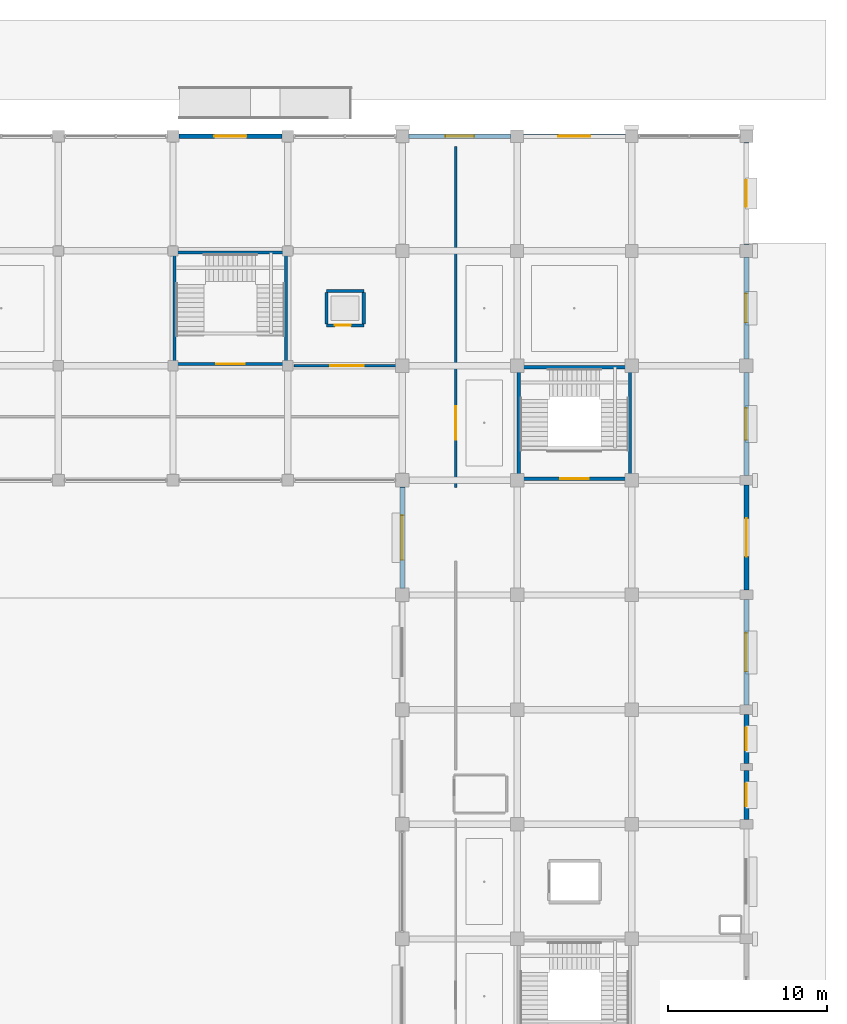
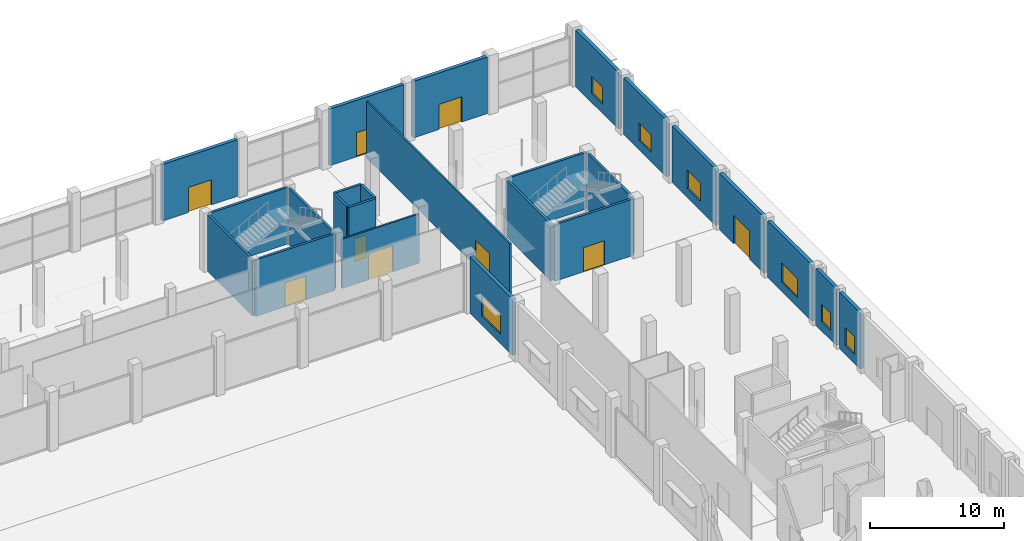
# One storey, part 66 of 90: 25 walls, 9 doors, 7 windows, 16 openings.
"""IFC4 building model written with IfcOpenShell, lengths in metres."""

import ifcopenshell
import ifcopenshell.guid

model = None  # the IFC model being written
_history = None  # IfcOwnerHistory: only IFC2X3 demands one
_inside = {}  # id of a spatial element -> (the spatial element, [elements in it])
_under = {}  # id of a project, library or spatial element -> (it, [spatial elements below it])
_declared = {}  # id of a project -> (the project, [libraries it declares])
_typed = {}  # id of a type object -> (the type object, [elements of that type])
_made_of = {}  # id of a material, layer set ... -> (it, [elements and type objects made of it])


def new_model(schema):
    """Start an empty IFC model of exactly this schema.

    Asked for "IFC4X3", IfcOpenShell would pick the latest addendum, in which some entities
    have other attributes; the version numbers below select the first issue.
    IFC2X3 requires an IfcOwnerHistory on every rooted entity: one is made here for all.
    """
    global model, _history
    if schema == "IFC4X3":
        model = ifcopenshell.file(schema_version=(4, 3, 0, 0))
    else:
        model = ifcopenshell.file(schema=schema)
    _inside.clear()
    _under.clear()
    _declared.clear()
    _typed.clear()
    _made_of.clear()
    _history = None
    if model.schema == "IFC2X3":
        org = make("IfcOrganization", Name="unknown")
        user = make(
            "IfcPersonAndOrganization",
            ThePerson=make("IfcPerson", FamilyName="unknown"),
            TheOrganization=org,
        )
        app = make(
            "IfcApplication",
            ApplicationDeveloper=org,
            Version="unknown",
            ApplicationFullName="unknown",
            ApplicationIdentifier="unknown",
        )
        _history = make(
            "IfcOwnerHistory",
            OwningUser=user,
            OwningApplication=app,
            ChangeAction="ADDED",
            CreationDate=0,
        )
    return model


def make(cls, **values):
    """One entity of the class cls with the attributes given. An attribute that is None is left unset."""
    return model.create_entity(
        cls, **{name: value for name, value in values.items() if value is not None}
    )


def rooted(cls, **values):
    """An entity with a GlobalId (a new one), such as an element, a storey or a relation."""
    return make(cls, GlobalId=ifcopenshell.guid.new(), OwnerHistory=_history, **values)


def si_unit(unit_type, name, prefix=None):
    """IfcSIUnit, for example si_unit("LENGTHUNIT", "METRE", prefix="MILLI")."""
    return make("IfcSIUnit", UnitType=unit_type, Prefix=prefix, Name=name)


def assignment(units):
    """IfcUnitAssignment: the units of a project."""
    return None if units is None else make("IfcUnitAssignment", Units=units)


def point(xyz):
    """IfcCartesianPoint."""
    return None if xyz is None else make("IfcCartesianPoint", Coordinates=xyz)


def direction(xyz):
    """IfcDirection."""
    return None if xyz is None else make("IfcDirection", DirectionRatios=xyz)


def frame(location, z_axis=None, x_axis=None):
    """IfcAxis2Placement3D, a coordinate frame: its origin and axes. An axis left out is left unset."""
    return make(
        "IfcAxis2Placement3D",
        Location=point(location),
        Axis=direction(z_axis),
        RefDirection=direction(x_axis),
    )


def frame_2d(location, x_axis=None):
    """IfcAxis2Placement2D, a coordinate frame in the plane: its origin and x axis."""
    return make(
        "IfcAxis2Placement2D", Location=point(location), RefDirection=direction(x_axis)
    )


def origin():
    """The frame at (0, 0, 0) with its axes left unset."""
    return frame((0.0, 0.0, 0.0))


def place(relative_to, where):
    """IfcLocalPlacement: puts the frame where relative to a parent placement (None: the world)."""
    return make(
        "IfcLocalPlacement", PlacementRelTo=relative_to, RelativePlacement=where
    )


def context(
    kind, dimensions, precision=None, world=None, true_north=None, identifier=None
):
    """IfcGeometricRepresentationContext, for example the 3D "Model" context."""
    return make(
        "IfcGeometricRepresentationContext",
        ContextIdentifier=identifier,
        ContextType=kind,
        CoordinateSpaceDimension=dimensions,
        Precision=precision,
        WorldCoordinateSystem=world,
        TrueNorth=true_north,
    )


def subcontext(parent, identifier, kind, view, scale=None):
    """IfcGeometricRepresentationSubContext, for example "Body" below "Model"."""
    return make(
        "IfcGeometricRepresentationSubContext",
        ContextIdentifier=identifier,
        ContextType=kind,
        ParentContext=parent,
        TargetScale=scale,
        TargetView=view,
    )


def project(units=None, contexts=None):
    """IfcProject with its units and contexts."""
    return rooted(
        "IfcProject",
        Name="project",
        RepresentationContexts=contexts,
        UnitsInContext=assignment(units),
    )


def spatial(cls, under=None, at=None, **own):
    """A site, building, storey or space (cls), placed at a placement, below another one or the project."""
    s = rooted(cls, ObjectPlacement=at, **own)
    if under is not None:
        _under.setdefault(under.id(), (under, []))[1].append(s)
    return s


def profile(cls, at=None, kind="AREA", **sizes):
    """A parametric profile (cls). Its sizes go by their IFC names, for example OverallWidth=200.0."""
    return make(cls, ProfileType=kind, Position=at, **sizes)


def rectangle(**sizes):
    """IfcRectangleProfileDef."""
    return profile("IfcRectangleProfileDef", **sizes)


def extrude(swept, where, along, depth):
    """IfcExtrudedAreaSolid: the profile swept, set in the frame where, extruded along a direction by depth."""
    return make(
        "IfcExtrudedAreaSolid",
        SweptArea=swept,
        Position=where,
        ExtrudedDirection=direction(along),
        Depth=depth,
    )


def shape(context_of_items, identifier, shape_type, items):
    """IfcShapeRepresentation: the items that make up one representation, for example the "Body"."""
    return make(
        "IfcShapeRepresentation",
        ContextOfItems=context_of_items,
        RepresentationIdentifier=identifier,
        RepresentationType=shape_type,
        Items=items,
    )


def material(Name=None, Category=None):
    """IfcMaterial."""
    return make("IfcMaterial", Name=Name, Category=Category)


def layer(
    of_material, thickness, ventilated=None, Name=None, Category=None, Priority=None
):
    """IfcMaterialLayer: one layer of a wall or slab, of a material (None: an air gap)."""
    return make(
        "IfcMaterialLayer",
        Material=of_material,
        LayerThickness=thickness,
        IsVentilated=ventilated,
        Name=Name,
        Category=Category,
        Priority=Priority,
    )


def layer_set(layers, Name=None):
    """IfcMaterialLayerSet."""
    return make("IfcMaterialLayerSet", MaterialLayers=layers, LayerSetName=Name)


def made_of(thing, what):
    """Note that an element or type object is made of a material, layer set ...; save() writes the relation."""
    if what is not None:
        _made_of.setdefault(what.id(), (what, []))[1].append(thing)
    return thing


def type_object(cls, material=None, **own):
    """A type object (cls), such as IfcWallType, which elements share."""
    return made_of(rooted(cls, **own), material)


def element(
    cls,
    number,
    at=None,
    inside=None,
    cuts=None,
    type_object=None,
    material=None,
    context=None,
    identifier="Body",
    shape_type=None,
    held_by="IfcProductDefinitionShape",
    body=None,
    shapes=None,
    **own,
):
    """One element of the class cls, such as IfcWall. Its Tag is "e" and its number.

    at: its placement. inside: the storey or other place that contains it. cuts: it is an
    opening in that element (IfcRelVoidsElement). A single representation is given by context,
    identifier, shape_type and body (its items); several are given by shapes. held_by: the class
    of the entity that holds the representations. save() writes the other relations.
    """
    e = rooted(cls, Tag="e%d" % number, ObjectPlacement=at, **own)
    if body is not None:
        shapes = [shape(context, identifier, shape_type, body)]
    if shapes is not None:
        e.Representation = make(held_by, Representations=shapes)
    if inside is not None:
        _inside.setdefault(inside.id(), (inside, []))[1].append(e)
    if cuts is not None:
        rooted(
            "IfcRelVoidsElement", RelatingBuildingElement=cuts, RelatedOpeningElement=e
        )
    if type_object is not None:
        _typed.setdefault(type_object.id(), (type_object, []))[1].append(e)
    return made_of(e, material)


def fill(opening, filler):
    """IfcRelFillsElement: the door or window that sits in an opening."""
    return rooted(
        "IfcRelFillsElement",
        RelatingOpeningElement=opening,
        RelatedBuildingElement=filler,
    )


def aggregate(whole, parts):
    """IfcRelAggregates: a whole, such as a stair, and the parts it consists of."""
    return rooted("IfcRelAggregates", RelatingObject=whole, RelatedObjects=parts)


def save(model, path):
    """Write the relations noted so far, then the file.

    IfcRelAggregates (storeys below a building ...), IfcRelContainedInSpatialStructure (elements
    in a storey), IfcRelDefinesByType, IfcRelAssociatesMaterial and IfcRelDeclares: one each for
    every whole, place, type object, material and project.
    """
    for whole, parts in _under.values():
        aggregate(whole, parts)
    for where, things in _inside.values():
        rooted(
            "IfcRelContainedInSpatialStructure",
            RelatedElements=things,
            RelatingStructure=where,
        )
    for kind, things in _typed.values():
        rooted("IfcRelDefinesByType", RelatedObjects=things, RelatingType=kind)
    for what, things in _made_of.values():
        rooted("IfcRelAssociatesMaterial", RelatedObjects=things, RelatingMaterial=what)
    for by, libraries in _declared.values():
        rooted("IfcRelDeclares", RelatingContext=by, RelatedDefinitions=libraries)
    model.write(path)


model = new_model("IFC4")

# Units and contexts
model_context = context("Model", 3, precision=1e-05, world=origin(), true_north=direction((0.0, 1.0)))
body_context = subcontext(model_context, "Body", "Model", "MODEL_VIEW")
ifc_project = project(units=[si_unit("LENGTHUNIT", "METRE"), si_unit("AREAUNIT", "SQUARE_METRE"), si_unit("VOLUMEUNIT", "CUBIC_METRE"), si_unit("PLANEANGLEUNIT", "RADIAN"), si_unit("MASSUNIT", "GRAM", prefix="KILO")], contexts=[model_context])

# Site, building, storey
site_placement = place(None, origin())
site = spatial("IfcSite", under=ifc_project, at=site_placement, CompositionType="ELEMENT")
building_placement = place(site_placement, origin())
building = spatial("IfcBuilding", under=site, at=building_placement, Name="Kangsadwip Square Police Headquarters", CompositionType="ELEMENT")
storey_placement = place(building_placement, origin())
storey = spatial("IfcBuildingStorey", under=building, at=storey_placement, Name="L00", CompositionType="ELEMENT", Elevation=0.0)

# Wall, opening, door
ifc_material_1 = material(Name="Autoclaved aerated concrete blockwork masonry", Category="masonry")
ifc_layer_1 = layer(ifc_material_1, 0.14990234375)
ifc_layer_set_1 = layer_set([ifc_layer_1], Name="Autoclaved aerated concrete blockwork masonry")
wall_type_1 = type_object("IfcWallType", Name="BlockPartition150", PredefinedType="PARTITIONING", material=ifc_layer_set_1)
wall_1_placement = place(storey_placement, frame((137.199951171875, 100.800048828125, 0.0), z_axis=(0.0, 0.0, 1.0), x_axis=(1.0, 0.0, 0.0)))
wall_1 = element("IfcWall", 1, at=wall_1_placement, inside=storey, type_object=wall_type_1, Name="Interior Wall WI-L00-0690", PredefinedType="PARTITIONING", context=body_context, shape_type="SweptSolid", body=[
    extrude(rectangle(XDim=6.650146484375, YDim=0.14990234375, at=frame_2d((3.3251953125, 0.0))), origin(), (0.0, 0.0, 1.0), 4.5),
])
opening_1_placement = place(wall_1_placement, frame((2.27490234375, 0.0, 0.0)))
opening_1 = element("IfcOpeningElement", 2, at=opening_1_placement, cuts=wall_1, Name="Opening ID-21", PredefinedType="OPENING", context=body_context, shape_type="SweptSolid", body=[
    extrude(rectangle(XDim=2.10009765625, YDim=2.39990234375, at=frame_2d((1.050048828125, 1.199951171875))), frame((0.0, 0.0849609375, 0.0), z_axis=(0.0, -1.0, 0.0), x_axis=(1.0, 0.0, 0.0)), (0.0, 0.0, 1.0), 0.169921875),
])
ifc_material_2 = material(Name="Solid-core seasoned teak hardwood architectural door", Category="wood")
door_type_1 = type_object("IfcDoorType", Name="HallDoubleDoor2100x2400", OperationType="DOUBLE_DOOR_SINGLE_SWING", PredefinedType="DOOR", material=ifc_material_2)
door_1_placement = place(opening_1_placement, origin())
door_1 = element("IfcDoor", 3, at=door_1_placement, inside=storey, type_object=door_type_1, Name="Interior Door ID-L00-0140", OperationType="DOUBLE_DOOR_SINGLE_SWING", OverallHeight=2.39990234375, OverallWidth=2.10009765625, PredefinedType="DOOR", context=body_context, shape_type="SweptSolid", body=[
    extrude(rectangle(XDim=2.10009765625, YDim=2.39990234375, at=frame_2d((1.050048828125, 1.199951171875))), frame((0.0, 0.02490234375, 0.0), z_axis=(0.0, -1.0, 0.0), x_axis=(1.0, 0.0, 0.0)), (0.0, 0.0, 1.0), 0.050048828125),
])
fill(opening_1, door_1)

wall_2_placement = place(storey_placement, frame((147.35009765625, 93.14990234375, 0.0), z_axis=(0.0, 0.0, 1.0), x_axis=(0.0, 1.0, 0.0)))
wall_2 = element("IfcWall", 4, at=wall_2_placement, inside=storey, type_object=wall_type_1, Name="Interior Wall WI-L00-0691", PredefinedType="PARTITIONING", context=body_context, shape_type="SweptSolid", body=[
    extrude(rectangle(XDim=21.400146484375, YDim=0.14990234375, at=frame_2d((10.7001953125, 0.0))), origin(), (0.0, 0.0, 1.0), 5.159912109375),
])
opening_2_placement = place(wall_2_placement, frame((3.007080078125, 0.0, 0.0)))
opening_2 = element("IfcOpeningElement", 5, at=opening_2_placement, cuts=wall_2, Name="Opening ID-21", PredefinedType="OPENING", context=body_context, shape_type="SweptSolid", body=[
    extrude(rectangle(XDim=2.10009765625, YDim=2.39990234375, at=frame_2d((1.050048828125, 1.199951171875))), frame((0.0, 0.0849609375, 0.0), z_axis=(0.0, -1.0, 0.0), x_axis=(1.0, 0.0, 0.0)), (0.0, 0.0, 1.0), 0.169921875),
])
door_2_placement = place(opening_2_placement, origin())
door_2 = element("IfcDoor", 6, at=door_2_placement, inside=storey, type_object=door_type_1, Name="Interior Door ID-L00-0141", OperationType="DOUBLE_DOOR_SINGLE_SWING", OverallHeight=2.39990234375, OverallWidth=2.10009765625, PredefinedType="DOOR", context=body_context, shape_type="SweptSolid", body=[
    extrude(rectangle(XDim=2.10009765625, YDim=2.39990234375, at=frame_2d((1.050048828125, 1.199951171875))), frame((0.0, 0.02490234375, 0.0), z_axis=(0.0, -1.0, 0.0), x_axis=(1.0, 0.0, 0.0)), (0.0, 0.0, 1.0), 0.050048828125),
])
fill(opening_2, door_2)

ifc_material_3 = material(Name="Concrete M40 (40 MPa)", Category="concrete")
ifc_layer_2 = layer(ifc_material_3, 0.199951171875)
ifc_layer_set_2 = layer_set([ifc_layer_2], Name="Concrete M40 (40 MPa)")
wall_type_2 = type_object("IfcWallType", Name="CoreShearWall200", PredefinedType="SHEAR", material=ifc_layer_set_2)
wall_3_placement = place(storey_placement, frame((151.39990234375, 93.699951171875, 0.0), z_axis=(0.0, 0.0, 1.0), x_axis=(1.0, 0.0, 0.0)))
wall_3 = element("IfcWall", 7, at=wall_3_placement, inside=storey, type_object=wall_type_2, Name="Interior Wall WI-L00-0129", PredefinedType="SHEAR", context=body_context, shape_type="SweptSolid", body=[
    extrude(rectangle(XDim=6.800048828125, YDim=0.199951171875, at=frame_2d((3.39990234375, 0.0))), origin(), (0.0, 0.0, 1.0), 5.159912109375),
])
opening_3_placement = place(wall_3_placement, frame((2.5, 0.0, 0.0)))
opening_3 = element("IfcOpeningElement", 8, at=opening_3_placement, cuts=wall_3, Name="Opening FD-18", PredefinedType="OPENING", context=body_context, shape_type="SweptSolid", body=[
    extrude(rectangle(XDim=1.800048828125, YDim=2.199951171875, at=frame_2d((0.89990234375, 1.10009765625))), frame((0.0, 0.10986328125, 0.0), z_axis=(0.0, -1.0, 0.0), x_axis=(1.0, 0.0, 0.0)), (0.0, 0.0, 1.0), 0.219970703125),
])
ifc_material_4 = material(Name="Insulated galvanized steel fire-rated door assembly", Category="steel")
door_type_2 = type_object("IfcDoorType", Name="StairFireDoor1800x2200", OperationType="DOUBLE_DOOR_SINGLE_SWING", PredefinedType="DOOR", material=ifc_material_4)
door_3_placement = place(opening_3_placement, origin())
door_3 = element("IfcDoor", 9, at=door_3_placement, inside=storey, type_object=door_type_2, Name="Interior Door ID-L00-0029", OperationType="DOUBLE_DOOR_SINGLE_SWING", OverallHeight=2.199951171875, OverallWidth=1.800048828125, PredefinedType="DOOR", context=body_context, shape_type="SweptSolid", body=[
    extrude(rectangle(XDim=1.800048828125, YDim=2.199951171875, at=frame_2d((0.89990234375, 1.10009765625))), frame((0.0, 0.02490234375, 0.0), z_axis=(0.0, -1.0, 0.0), x_axis=(1.0, 0.0, 0.0)), (0.0, 0.0, 1.0), 0.050048828125),
])
fill(opening_3, door_3)

# Walls
for number, where, z_axis, x_axis, name in (
    (10, (151.39990234375, 100.699951171875, 0.0), (0.0, 0.0, 1.0), (1.0, 0.0, 0.0), "Interior Wall WI-L00-0130"),
    (11, (151.300048828125, 93.800048828125, 0.0), (0.0, 0.0, 1.0), (0.0, 1.0, 0.0), "Interior Wall WI-L00-0131"),
    (12, (158.300048828125, 93.800048828125, 0.0), (0.0, 0.0, 1.0), (0.0, 1.0, 0.0), "Interior Wall WI-L00-0132"),
):
    element("IfcWall", number, at=place(storey_placement, frame(where, z_axis=z_axis, x_axis=x_axis)), inside=storey, type_object=wall_type_2, Name=name, PredefinedType="SHEAR", context=body_context, shape_type="SweptSolid", body=[
        extrude(rectangle(XDim=6.800048828125, YDim=0.199951171875, at=frame_2d((3.39990234375, 0.0))), origin(), (0.0, 0.0, 1.0), 5.159912109375),
    ])

# Wall, opening, door
wall_4_placement = place(storey_placement, frame((129.800048828125, 100.89990234375, 0.0), z_axis=(0.0, 0.0, 1.0), x_axis=(1.0, 0.0, 0.0)))
wall_4 = element("IfcWall", 13, at=wall_4_placement, inside=storey, type_object=wall_type_2, Name="Interior Wall WI-L00-0157", PredefinedType="SHEAR", context=body_context, shape_type="SweptSolid", body=[
    extrude(rectangle(XDim=6.800048828125, YDim=0.199951171875, at=frame_2d((3.39990234375, 0.0))), origin(), (0.0, 0.0, 1.0), 5.159912109375),
])
opening_4_placement = place(wall_4_placement, frame((2.5, 0.0, 0.0)))
opening_4 = element("IfcOpeningElement", 14, at=opening_4_placement, cuts=wall_4, Name="Opening FD-18", PredefinedType="OPENING", context=body_context, shape_type="SweptSolid", body=[
    extrude(rectangle(XDim=1.800048828125, YDim=2.199951171875, at=frame_2d((0.89990234375, 1.10009765625))), frame((0.0, 0.10986328125, 0.0), z_axis=(0.0, -1.0, 0.0), x_axis=(1.0, 0.0, 0.0)), (0.0, 0.0, 1.0), 0.219970703125),
])
door_4_placement = place(opening_4_placement, origin())
door_4 = element("IfcDoor", 15, at=door_4_placement, inside=storey, type_object=door_type_2, Name="Interior Door ID-L00-0035", OperationType="DOUBLE_DOOR_SINGLE_SWING", OverallHeight=2.199951171875, OverallWidth=1.800048828125, PredefinedType="DOOR", context=body_context, shape_type="SweptSolid", body=[
    extrude(rectangle(XDim=1.800048828125, YDim=2.199951171875, at=frame_2d((0.89990234375, 1.10009765625))), frame((0.0, 0.02490234375, 0.0), z_axis=(0.0, -1.0, 0.0), x_axis=(1.0, 0.0, 0.0)), (0.0, 0.0, 1.0), 0.050048828125),
])
fill(opening_4, door_4)

# Walls
for number, where, z_axis, x_axis, name in (
    (16, (129.800048828125, 107.89990234375, 0.0), (0.0, 0.0, 1.0), (1.0, 0.0, 0.0), "Interior Wall WI-L00-0158"),
    (17, (129.699951171875, 101.0, 0.0), (0.0, 0.0, 1.0), (0.0, 1.0, 0.0), "Interior Wall WI-L00-0159"),
    (18, (136.699951171875, 101.0, 0.0), (0.0, 0.0, 1.0), (0.0, 1.0, 0.0), "Interior Wall WI-L00-0160"),
):
    element("IfcWall", number, at=place(storey_placement, frame(where, z_axis=z_axis, x_axis=x_axis)), inside=storey, type_object=wall_type_2, Name=name, PredefinedType="SHEAR", context=body_context, shape_type="SweptSolid", body=[
        extrude(rectangle(XDim=6.800048828125, YDim=0.199951171875, at=frame_2d((3.39990234375, 0.0))), origin(), (0.0, 0.0, 1.0), 5.159912109375),
    ])

# Wall, opening, door
wall_5_placement = place(storey_placement, frame((139.22509765625, 103.324951171875, 0.0), z_axis=(0.0, 0.0, 1.0), x_axis=(1.0, 0.0, 0.0)))
wall_5 = element("IfcWall", 19, at=wall_5_placement, inside=storey, type_object=wall_type_2, Name="Interior Wall WI-L00-0463", PredefinedType="SHEAR", context=body_context, shape_type="SweptSolid", body=[
    extrude(rectangle(XDim=2.349853515625, YDim=0.199951171875, at=frame_2d((1.1748046875, 0.0))), origin(), (0.0, 0.0, 1.0), 5.159912109375),
])
opening_5_placement = place(wall_5_placement, frame((0.532958984375, 0.0, 0.0)))
opening_5 = element("IfcOpeningElement", 20, at=opening_5_placement, cuts=wall_5, Name="Opening LD-053", PredefinedType="OPENING", context=body_context, shape_type="SweptSolid", body=[
    extrude(rectangle(XDim=1.0, YDim=2.10009765625, at=frame_2d((0.5, 1.050048828125))), frame((0.0, 0.10986328125, 0.0), z_axis=(0.0, -1.0, 0.0), x_axis=(1.0, 0.0, 0.0)), (0.0, 0.0, 1.0), 0.219970703125),
])
ifc_material_5 = material(Name="Brushed stainless steel automatic sliding lift landing door", Category="steel")
door_type_3 = type_object("IfcDoorType", Name="LiftLandingDoor1000x2100", OperationType="DOUBLE_DOOR_SLIDING", PredefinedType="DOOR", material=ifc_material_5)
door_5_placement = place(opening_5_placement, origin())
door_5 = element("IfcDoor", 21, at=door_5_placement, inside=storey, type_object=door_type_3, Name="Interior Door LD-053", OperationType="DOUBLE_DOOR_SLIDING", OverallHeight=2.10009765625, OverallWidth=1.0, PredefinedType="DOOR", context=body_context, shape_type="SweptSolid", body=[
    extrude(rectangle(XDim=1.0, YDim=2.10009765625, at=frame_2d((0.5, 1.050048828125))), frame((0.0, 0.02490234375, 0.0), z_axis=(0.0, -1.0, 0.0), x_axis=(1.0, 0.0, 0.0)), (0.0, 0.0, 1.0), 0.050048828125),
])
fill(opening_5, door_5)

# Walls
wall_6_placement = place(storey_placement, frame((139.22509765625, 105.47509765625, 0.0), z_axis=(0.0, 0.0, 1.0), x_axis=(1.0, 0.0, 0.0)))
element("IfcWall", 22, at=wall_6_placement, inside=storey, type_object=wall_type_2, Name="Interior Wall WI-L00-0464", PredefinedType="SHEAR", context=body_context, shape_type="SweptSolid", body=[
    extrude(rectangle(XDim=2.349853515625, YDim=0.199951171875, at=frame_2d((1.1748046875, 0.0))), origin(), (0.0, 0.0, 1.0), 5.159912109375),
])
for number, where, z_axis, x_axis, name in (
    (23, (139.22509765625, 103.425048828125, 0.0), (0.0, 0.0, 1.0), (0.0, 1.0, 0.0), "Interior Wall WI-L00-0465"),
    (24, (141.574951171875, 103.425048828125, 0.0), (0.0, 0.0, 1.0), (0.0, 1.0, 0.0), "Interior Wall WI-L00-0466"),
):
    element("IfcWall", number, at=place(storey_placement, frame(where, z_axis=z_axis, x_axis=x_axis)), inside=storey, type_object=wall_type_2, Name=name, PredefinedType="SHEAR", context=body_context, shape_type="SweptSolid", body=[
        extrude(rectangle(XDim=1.949951171875, YDim=0.199951171875, at=frame_2d((0.97509765625, 0.0))), origin(), (0.0, 0.0, 1.0), 5.159912109375),
    ])

# Wall, opening, door
ifc_material_6 = material(Name="Glazed architectural terracotta masonry rainscreen", Category="masonry")
ifc_layer_3 = layer(ifc_material_6, 0.300048828125)
ifc_layer_set_3 = layer_set([ifc_layer_3], Name="Glazed architectural terracotta masonry rainscreen")
wall_type_3 = type_object("IfcWallType", Name="PlinthArcadeWall300", PredefinedType="SOLIDWALL", material=ifc_layer_set_3)
wall_7_placement = place(storey_placement, frame((129.969970703125, 115.199951171875, 0.0), z_axis=(0.0, 0.0, 1.0), x_axis=(1.0, 0.0, 0.0)))
wall_7 = element("IfcWall", 25, at=wall_7_placement, inside=storey, type_object=wall_type_3, Name="Exterior Wall WE-L00-160", PredefinedType="SOLIDWALL", context=body_context, shape_type="SweptSolid", body=[
    extrude(rectangle(XDim=6.4599609375, YDim=0.300048828125, at=frame_2d((3.22998046875, 0.0))), origin(), (0.0, 0.0, 1.0), 5.159912109375),
])
opening_6_placement = place(wall_7_placement, frame((2.22998046875, 0.0, 0.0)))
opening_6 = element("IfcOpeningElement", 26, at=opening_6_placement, cuts=wall_7, Name="Opening ED-05", PredefinedType="OPENING", context=body_context, shape_type="SweptSolid", body=[
    extrude(rectangle(XDim=2.0, YDim=2.300048828125, at=frame_2d((1.0, 1.14990234375))), frame((0.0, 0.159912109375, 0.0), z_axis=(0.0, -1.0, 0.0), x_axis=(1.0, 0.0, 0.0)), (0.0, 0.0, 1.0), 0.320068359375),
])
ifc_material_7 = material(Name="Galvanized hollow-metal architectural steel door assembly", Category="steel")
door_type_4 = type_object("IfcDoorType", Name="FinalExitDoubleDoor2000x2300", OperationType="DOUBLE_DOOR_SINGLE_SWING", PredefinedType="DOOR", material=ifc_material_7)
door_6_placement = place(opening_6_placement, origin())
door_6 = element("IfcDoor", 27, at=door_6_placement, inside=storey, type_object=door_type_4, Name="Exterior Door ED-05", OperationType="DOUBLE_DOOR_SINGLE_SWING", OverallHeight=2.300048828125, OverallWidth=2.0, PredefinedType="DOOR", context=body_context, shape_type="SweptSolid", body=[
    extrude(rectangle(XDim=2.0, YDim=2.300048828125, at=frame_2d((1.0, 1.14990234375))), frame((0.0, 0.02490234375, 0.0), z_axis=(0.0, -1.0, 0.0), x_axis=(1.0, 0.0, 0.0)), (0.0, 0.0, 1.0), 0.050048828125),
])
fill(opening_6, door_6)

wall_8_placement = place(storey_placement, frame((144.39501953125, 115.199951171875, 0.0), z_axis=(0.0, 0.0, 1.0), x_axis=(1.0, 0.0, 0.0)))
wall_8 = element("IfcWall", 28, at=wall_8_placement, inside=storey, type_object=wall_type_3, Name="Exterior Wall WE-L00-161", PredefinedType="SOLIDWALL", context=body_context, shape_type="SweptSolid", body=[
    extrude(rectangle(XDim=6.409912109375, YDim=0.300048828125, at=frame_2d((3.205078125, 0.0))), origin(), (0.0, 0.0, 1.0), 5.159912109375),
])
opening_7_placement = place(wall_8_placement, frame((2.304931640625, 0.0, 0.0)))
opening_7 = element("IfcOpeningElement", 29, at=opening_7_placement, cuts=wall_8, Name="Opening ED-17", PredefinedType="OPENING", context=body_context, shape_type="SweptSolid", body=[
    extrude(rectangle(XDim=1.800048828125, YDim=2.199951171875, at=frame_2d((0.89990234375, 1.10009765625))), frame((0.0, 0.159912109375, 0.0), z_axis=(0.0, -1.0, 0.0), x_axis=(1.0, 0.0, 0.0)), (0.0, 0.0, 1.0), 0.320068359375),
])
ifc_material_8 = material(Name="Galvanized hollow-metal architectural steel door assembly", Category="steel")
door_type_5 = type_object("IfcDoorType", Name="FinalExitDoubleDoor1800x2200", OperationType="DOUBLE_DOOR_SINGLE_SWING", PredefinedType="DOOR", material=ifc_material_8)
door_7_placement = place(opening_7_placement, origin())
door_7 = element("IfcDoor", 30, at=door_7_placement, inside=storey, type_object=door_type_5, Name="Exterior Door ED-17", OperationType="DOUBLE_DOOR_SINGLE_SWING", OverallHeight=2.199951171875, OverallWidth=1.800048828125, PredefinedType="DOOR", context=body_context, shape_type="SweptSolid", body=[
    extrude(rectangle(XDim=1.800048828125, YDim=2.199951171875, at=frame_2d((0.89990234375, 1.10009765625))), frame((0.0, 0.02490234375, 0.0), z_axis=(0.0, -1.0, 0.0), x_axis=(1.0, 0.0, 0.0)), (0.0, 0.0, 1.0), 0.050048828125),
])
fill(opening_7, door_7)

wall_9_placement = place(storey_placement, frame((151.594970703125, 115.199951171875, 0.0), z_axis=(0.0, 0.0, 1.0), x_axis=(1.0, 0.0, 0.0)))
wall_9 = element("IfcWall", 31, at=wall_9_placement, inside=storey, type_object=wall_type_3, Name="Exterior Wall WE-L00-162", PredefinedType="SOLIDWALL", context=body_context, shape_type="SweptSolid", body=[
    extrude(rectangle(XDim=6.409912109375, YDim=0.300048828125, at=frame_2d((3.205078125, 0.0))), origin(), (0.0, 0.0, 1.0), 5.159912109375),
])
opening_8_placement = place(wall_9_placement, frame((2.205078125, 0.0, 0.0)))
opening_8 = element("IfcOpeningElement", 32, at=opening_8_placement, cuts=wall_9, Name="Opening ED-13", PredefinedType="OPENING", context=body_context, shape_type="SweptSolid", body=[
    extrude(rectangle(XDim=2.0, YDim=2.300048828125, at=frame_2d((1.0, 1.14990234375))), frame((0.0, 0.159912109375, 0.0), z_axis=(0.0, -1.0, 0.0), x_axis=(1.0, 0.0, 0.0)), (0.0, 0.0, 1.0), 0.320068359375),
])
door_8_placement = place(opening_8_placement, origin())
door_8 = element("IfcDoor", 33, at=door_8_placement, inside=storey, type_object=door_type_4, Name="Exterior Door ED-13", OperationType="DOUBLE_DOOR_SINGLE_SWING", OverallHeight=2.300048828125, OverallWidth=2.0, PredefinedType="DOOR", context=body_context, shape_type="SweptSolid", body=[
    extrude(rectangle(XDim=2.0, YDim=2.300048828125, at=frame_2d((1.0, 1.14990234375))), frame((0.0, 0.02490234375, 0.0), z_axis=(0.0, -1.0, 0.0), x_axis=(1.0, 0.0, 0.0)), (0.0, 0.0, 1.0), 0.050048828125),
])
fill(opening_8, door_8)

# Wall, opening, window
wall_10_placement = place(storey_placement, frame((144.0, 86.820068359375, 0.0), z_axis=(0.0, 0.0, 1.0), x_axis=(0.0, 1.0, 0.0)))
wall_10 = element("IfcWall", 34, at=wall_10_placement, inside=storey, type_object=wall_type_3, Name="Exterior Wall WE-L00-200", PredefinedType="SOLIDWALL", context=body_context, shape_type="SweptSolid", body=[
    extrude(rectangle(XDim=6.35986328125, YDim=0.300048828125, at=frame_2d((3.179931640625, 0.0))), origin(), (0.0, 0.0, 1.0), 5.159912109375),
])
opening_9_placement = place(wall_10_placement, frame((1.780029296875, 0.0, 0.85009765625)))
opening_9 = element("IfcOpeningElement", 35, at=opening_9_placement, cuts=wall_10, Name="Opening WN-05", PredefinedType="OPENING", context=body_context, shape_type="SweptSolid", body=[
    extrude(rectangle(XDim=2.800048828125, YDim=1.85009765625, at=frame_2d((1.39990234375, 0.925048828125))), frame((0.0, 0.159912109375, 0.0), z_axis=(0.0, -1.0, 0.0), x_axis=(1.0, 0.0, 0.0)), (0.0, 0.0, 1.0), 0.320068359375),
])
ifc_material_9 = material(Name="Double-glazed solar-control low-E safety glass", Category="glass")
window_type_1 = type_object("IfcWindowType", Name="ChicagoDoubleMullWin2800x1850", PartitioningType="DOUBLE_PANEL_VERTICAL", PredefinedType="WINDOW", material=ifc_material_9)
window_1_placement = place(opening_9_placement, origin())
window_1 = element("IfcWindow", 36, at=window_1_placement, inside=storey, type_object=window_type_1, Name="Window WN-L00-0055", OverallHeight=1.85009765625, OverallWidth=2.800048828125, PartitioningType="SINGLE_PANEL", PredefinedType="WINDOW", context=body_context, shape_type="SweptSolid", body=[
    extrude(rectangle(XDim=2.800048828125, YDim=1.85009765625, at=frame_2d((1.39990234375, 0.925048828125))), frame((0.0, 0.030029296875, 0.0), z_axis=(0.0, -1.0, 0.0), x_axis=(1.0, 0.0, 0.0)), (0.0, 0.0, 1.0), 0.06005859375),
])
fill(opening_9, window_1)

wall_11_placement = place(storey_placement, frame((165.60009765625, 72.294921875, 0.0), z_axis=(0.0, 0.0, 1.0), x_axis=(0.0, 1.0, 0.0)))
wall_11 = element("IfcWall", 37, at=wall_11_placement, inside=storey, type_object=wall_type_3, Name="Exterior Wall WE-L00-210", PredefinedType="SOLIDWALL", context=body_context, shape_type="SweptSolid", body=[
    extrude(rectangle(XDim=3.0849609375, YDim=0.300048828125, at=frame_2d((1.54248046875, 0.0))), origin(), (0.0, 0.0, 1.0), 5.159912109375),
])
opening_10_placement = place(wall_11_placement, frame((0.842529296875, 0.0, 0.85009765625)))
opening_10 = element("IfcOpeningElement", 38, at=opening_10_placement, cuts=wall_11, Name="Opening WN-13", PredefinedType="OPENING", context=body_context, shape_type="SweptSolid", body=[
    extrude(rectangle(XDim=1.39990234375, YDim=1.60009765625, at=frame_2d((0.699951171875, 0.800048828125))), frame((0.0, 0.159912109375, 0.0), z_axis=(0.0, -1.0, 0.0), x_axis=(1.0, 0.0, 0.0)), (0.0, 0.0, 1.0), 0.320068359375),
])
ifc_material_10 = material(Name="Double-glazed solar-control low-E safety glass", Category="glass")
window_type_2 = type_object("IfcWindowType", Name="OfficeCasementWin1400x1600", PartitioningType="SINGLE_PANEL", PredefinedType="WINDOW", material=ifc_material_10)
window_2_placement = place(opening_10_placement, origin())
window_2 = element("IfcWindow", 39, at=window_2_placement, inside=storey, type_object=window_type_2, Name="Window WN-L00-0064", OverallHeight=1.60009765625, OverallWidth=1.39990234375, PartitioningType="SINGLE_PANEL", PredefinedType="WINDOW", context=body_context, shape_type="SweptSolid", body=[
    extrude(rectangle(XDim=1.39990234375, YDim=1.60009765625, at=frame_2d((0.699951171875, 0.800048828125))), frame((0.0, 0.030029296875, 0.0), z_axis=(0.0, -1.0, 0.0), x_axis=(1.0, 0.0, 0.0)), (0.0, 0.0, 1.0), 0.06005859375),
])
fill(opening_10, window_2)

wall_12_placement = place(storey_placement, frame((165.60009765625, 75.820068359375, 0.0), z_axis=(0.0, 0.0, 1.0), x_axis=(0.0, 1.0, 0.0)))
wall_12 = element("IfcWall", 40, at=wall_12_placement, inside=storey, type_object=wall_type_3, Name="Exterior Wall WE-L00-211", PredefinedType="SOLIDWALL", context=body_context, shape_type="SweptSolid", body=[
    extrude(rectangle(XDim=3.0849609375, YDim=0.300048828125, at=frame_2d((1.54248046875, 0.0))), origin(), (0.0, 0.0, 1.0), 5.159912109375),
])
opening_11_placement = place(wall_12_placement, frame((0.842529296875, 0.0, 0.85009765625)))
opening_11 = element("IfcOpeningElement", 41, at=opening_11_placement, cuts=wall_12, Name="Opening WN-13", PredefinedType="OPENING", context=body_context, shape_type="SweptSolid", body=[
    extrude(rectangle(XDim=1.39990234375, YDim=1.60009765625, at=frame_2d((0.699951171875, 0.800048828125))), frame((0.0, 0.159912109375, 0.0), z_axis=(0.0, -1.0, 0.0), x_axis=(1.0, 0.0, 0.0)), (0.0, 0.0, 1.0), 0.320068359375),
])
window_3_placement = place(opening_11_placement, origin())
window_3 = element("IfcWindow", 42, at=window_3_placement, inside=storey, type_object=window_type_2, Name="Window WN-L00-0065", OverallHeight=1.60009765625, OverallWidth=1.39990234375, PartitioningType="SINGLE_PANEL", PredefinedType="WINDOW", context=body_context, shape_type="SweptSolid", body=[
    extrude(rectangle(XDim=1.39990234375, YDim=1.60009765625, at=frame_2d((0.699951171875, 0.800048828125))), frame((0.0, 0.030029296875, 0.0), z_axis=(0.0, -1.0, 0.0), x_axis=(1.0, 0.0, 0.0)), (0.0, 0.0, 1.0), 0.06005859375),
])
fill(opening_11, window_3)

wall_13_placement = place(storey_placement, frame((165.60009765625, 79.4951171875, 0.0), z_axis=(0.0, 0.0, 1.0), x_axis=(0.0, 1.0, 0.0)))
wall_13 = element("IfcWall", 43, at=wall_13_placement, inside=storey, type_object=wall_type_3, Name="Exterior Wall WE-L00-212", PredefinedType="SOLIDWALL", context=body_context, shape_type="SweptSolid", body=[
    extrude(rectangle(XDim=6.60986328125, YDim=0.300048828125, at=frame_2d((3.304931640625, 0.0))), origin(), (0.0, 0.0, 1.0), 5.159912109375),
])
opening_12_placement = place(wall_13_placement, frame((2.10498046875, 0.0, 0.85009765625)))
opening_12 = element("IfcOpeningElement", 44, at=opening_12_placement, cuts=wall_13, Name="Opening WN-07", PredefinedType="OPENING", context=body_context, shape_type="SweptSolid", body=[
    extrude(rectangle(XDim=2.39990234375, YDim=1.75, at=frame_2d((1.199951171875, 0.875))), frame((0.0, 0.159912109375, 0.0), z_axis=(0.0, -1.0, 0.0), x_axis=(1.0, 0.0, 0.0)), (0.0, 0.0, 1.0), 0.320068359375),
])
ifc_material_11 = material(Name="Double-glazed solar-control low-E safety glass", Category="glass")
window_type_3 = type_object("IfcWindowType", Name="ChicagoDoubleMullWin2400x1750", PartitioningType="DOUBLE_PANEL_VERTICAL", PredefinedType="WINDOW", material=ifc_material_11)
window_4_placement = place(opening_12_placement, origin())
window_4 = element("IfcWindow", 45, at=window_4_placement, inside=storey, type_object=window_type_3, Name="Window WN-L00-0066", OverallHeight=1.75, OverallWidth=2.39990234375, PartitioningType="SINGLE_PANEL", PredefinedType="WINDOW", context=body_context, shape_type="SweptSolid", body=[
    extrude(rectangle(XDim=2.39990234375, YDim=1.75, at=frame_2d((1.199951171875, 0.875))), frame((0.0, 0.030029296875, 0.0), z_axis=(0.0, -1.0, 0.0), x_axis=(1.0, 0.0, 0.0)), (0.0, 0.0, 1.0), 0.06005859375),
])
fill(opening_12, window_4)

# Wall, opening, door
wall_14_placement = place(storey_placement, frame((165.60009765625, 93.304931640625, 0.0), z_axis=(0.0, 0.0, 1.0), x_axis=(0.0, -1.0, 0.0)))
wall_14 = element("IfcWall", 46, at=wall_14_placement, inside=storey, type_object=wall_type_3, Name="Exterior Wall WE-L00-213", PredefinedType="SOLIDWALL", context=body_context, shape_type="SweptSolid", body=[
    extrude(rectangle(XDim=6.60986328125, YDim=0.300048828125, at=frame_2d((3.304931640625, 0.0))), origin(), (0.0, 0.0, 1.0), 5.159912109375),
])
opening_13_placement = place(wall_14_placement, frame((2.10498046875, 0.0, 0.0)))
opening_13 = element("IfcOpeningElement", 47, at=opening_13_placement, cuts=wall_14, Name="Opening ED-04", PredefinedType="OPENING", context=body_context, shape_type="SweptSolid", body=[
    extrude(rectangle(XDim=2.39990234375, YDim=2.60009765625, at=frame_2d((1.199951171875, 1.300048828125))), frame((0.0, 0.159912109375, 0.0), z_axis=(0.0, -1.0, 0.0), x_axis=(1.0, 0.0, 0.0)), (0.0, 0.0, 1.0), 0.320068359375),
])
ifc_material_12 = material(Name="Galvanized hollow-metal architectural steel door assembly", Category="steel")
door_type_6 = type_object("IfcDoorType", Name="CivicEntranceDoubleDoor2400x2600", OperationType="DOUBLE_DOOR_SINGLE_SWING", PredefinedType="DOOR", material=ifc_material_12)
door_9_placement = place(opening_13_placement, origin())
door_9 = element("IfcDoor", 48, at=door_9_placement, inside=storey, type_object=door_type_6, Name="Exterior Door ED-04", OperationType="DOUBLE_DOOR_SINGLE_SWING", OverallHeight=2.60009765625, OverallWidth=2.39990234375, PredefinedType="DOOR", context=body_context, shape_type="SweptSolid", body=[
    extrude(rectangle(XDim=2.39990234375, YDim=2.60009765625, at=frame_2d((1.199951171875, 1.300048828125))), frame((0.0, 0.02490234375, 0.0), z_axis=(0.0, -1.0, 0.0), x_axis=(1.0, 0.0, 0.0)), (0.0, 0.0, 1.0), 0.050048828125),
])
fill(opening_13, door_9)

# Wall, opening, window
wall_15_placement = place(storey_placement, frame((165.60009765625, 93.89501953125, 0.0), z_axis=(0.0, 0.0, 1.0), x_axis=(0.0, 1.0, 0.0)))
wall_15 = element("IfcWall", 49, at=wall_15_placement, inside=storey, type_object=wall_type_3, Name="Exterior Wall WE-L00-214", PredefinedType="SOLIDWALL", context=body_context, shape_type="SweptSolid", body=[
    extrude(rectangle(XDim=6.48486328125, YDim=0.300048828125, at=frame_2d((3.242431640625, 0.0))), origin(), (0.0, 0.0, 1.0), 5.159912109375),
])
opening_14_placement = place(wall_15_placement, frame((2.242431640625, 0.0, 0.85009765625)))
opening_14 = element("IfcOpeningElement", 50, at=opening_14_placement, cuts=wall_15, Name="Opening WN-09", PredefinedType="OPENING", context=body_context, shape_type="SweptSolid", body=[
    extrude(rectangle(XDim=2.0, YDim=1.64990234375, at=frame_2d((1.0, 0.824951171875))), frame((0.0, 0.159912109375, 0.0), z_axis=(0.0, -1.0, 0.0), x_axis=(1.0, 0.0, 0.0)), (0.0, 0.0, 1.0), 0.320068359375),
])
ifc_material_13 = material(Name="Double-glazed solar-control low-E safety glass", Category="glass")
window_type_4 = type_object("IfcWindowType", Name="ChicagoDoubleMullWin2000x1650", PartitioningType="DOUBLE_PANEL_VERTICAL", PredefinedType="WINDOW", material=ifc_material_13)
window_5_placement = place(opening_14_placement, origin())
window_5 = element("IfcWindow", 51, at=window_5_placement, inside=storey, type_object=window_type_4, Name="Window WN-L00-0067", OverallHeight=1.64990234375, OverallWidth=2.0, PartitioningType="SINGLE_PANEL", PredefinedType="WINDOW", context=body_context, shape_type="SweptSolid", body=[
    extrude(rectangle(XDim=2.0, YDim=1.64990234375, at=frame_2d((1.0, 0.824951171875))), frame((0.0, 0.030029296875, 0.0), z_axis=(0.0, -1.0, 0.0), x_axis=(1.0, 0.0, 0.0)), (0.0, 0.0, 1.0), 0.06005859375),
])
fill(opening_14, window_5)

wall_16_placement = place(storey_placement, frame((165.60009765625, 101.219970703125, 0.0), z_axis=(0.0, 0.0, 1.0), x_axis=(0.0, 1.0, 0.0)))
wall_16 = element("IfcWall", 52, at=wall_16_placement, inside=storey, type_object=wall_type_3, Name="Exterior Wall WE-L00-215", PredefinedType="SOLIDWALL", context=body_context, shape_type="SweptSolid", body=[
    extrude(rectangle(XDim=6.385009765625, YDim=0.300048828125, at=frame_2d((3.1923828125, 0.0))), origin(), (0.0, 0.0, 1.0), 5.159912109375),
])
opening_15_placement = place(wall_16_placement, frame((2.29248046875, 0.0, 0.85009765625)))
opening_15 = element("IfcOpeningElement", 53, at=opening_15_placement, cuts=wall_16, Name="Opening WN-10", PredefinedType="OPENING", context=body_context, shape_type="SweptSolid", body=[
    extrude(rectangle(XDim=1.800048828125, YDim=1.60009765625, at=frame_2d((0.89990234375, 0.800048828125))), frame((0.0, 0.159912109375, 0.0), z_axis=(0.0, -1.0, 0.0), x_axis=(1.0, 0.0, 0.0)), (0.0, 0.0, 1.0), 0.320068359375),
])
ifc_material_14 = material(Name="Double-glazed solar-control low-E safety glass", Category="glass")
window_type_5 = type_object("IfcWindowType", Name="LabCleanViewWin1800x1600", PartitioningType="DOUBLE_PANEL_VERTICAL", PredefinedType="WINDOW", material=ifc_material_14)
window_6_placement = place(opening_15_placement, origin())
window_6 = element("IfcWindow", 54, at=window_6_placement, inside=storey, type_object=window_type_5, Name="Window WN-L00-0068", OverallHeight=1.60009765625, OverallWidth=1.800048828125, PartitioningType="SINGLE_PANEL", PredefinedType="WINDOW", context=body_context, shape_type="SweptSolid", body=[
    extrude(rectangle(XDim=1.800048828125, YDim=1.60009765625, at=frame_2d((0.89990234375, 0.800048828125))), frame((0.0, 0.030029296875, 0.0), z_axis=(0.0, -1.0, 0.0), x_axis=(1.0, 0.0, 0.0)), (0.0, 0.0, 1.0), 0.06005859375),
])
fill(opening_15, window_6)

wall_17_placement = place(storey_placement, frame((165.60009765625, 108.39501953125, 0.0), z_axis=(0.0, 0.0, 1.0), x_axis=(0.0, 1.0, 0.0)))
wall_17 = element("IfcWall", 55, at=wall_17_placement, inside=storey, type_object=wall_type_3, Name="Exterior Wall WE-L00-216", PredefinedType="SOLIDWALL", context=body_context, shape_type="SweptSolid", body=[
    extrude(rectangle(XDim=6.409912109375, YDim=0.300048828125, at=frame_2d((3.205078125, 0.0))), origin(), (0.0, 0.0, 1.0), 5.159912109375),
])
opening_16_placement = place(wall_17_placement, frame((2.3798828125, 0.0, 0.85009765625)))
opening_16 = element("IfcOpeningElement", 56, at=opening_16_placement, cuts=wall_17, Name="Opening WN-11", PredefinedType="OPENING", context=body_context, shape_type="SweptSolid", body=[
    extrude(rectangle(XDim=1.64990234375, YDim=1.550048828125, at=frame_2d((0.824951171875, 0.77490234375))), frame((0.0, 0.159912109375, 0.0), z_axis=(0.0, -1.0, 0.0), x_axis=(1.0, 0.0, 0.0)), (0.0, 0.0, 1.0), 0.320068359375),
])
ifc_material_15 = material(Name="Double-glazed solar-control low-E safety glass", Category="glass")
window_type_6 = type_object("IfcWindowType", Name="LabCleanViewWin1650x1550", PartitioningType="SINGLE_PANEL", PredefinedType="WINDOW", material=ifc_material_15)
window_7_placement = place(opening_16_placement, origin())
window_7 = element("IfcWindow", 57, at=window_7_placement, inside=storey, type_object=window_type_6, Name="Window WN-L00-0069", OverallHeight=1.550048828125, OverallWidth=1.64990234375, PartitioningType="SINGLE_PANEL", PredefinedType="WINDOW", context=body_context, shape_type="SweptSolid", body=[
    extrude(rectangle(XDim=1.64990234375, YDim=1.550048828125, at=frame_2d((0.824951171875, 0.77490234375))), frame((0.0, 0.030029296875, 0.0), z_axis=(0.0, -1.0, 0.0), x_axis=(1.0, 0.0, 0.0)), (0.0, 0.0, 1.0), 0.06005859375),
])
fill(opening_16, window_7)

save(model, "model.ifc")
